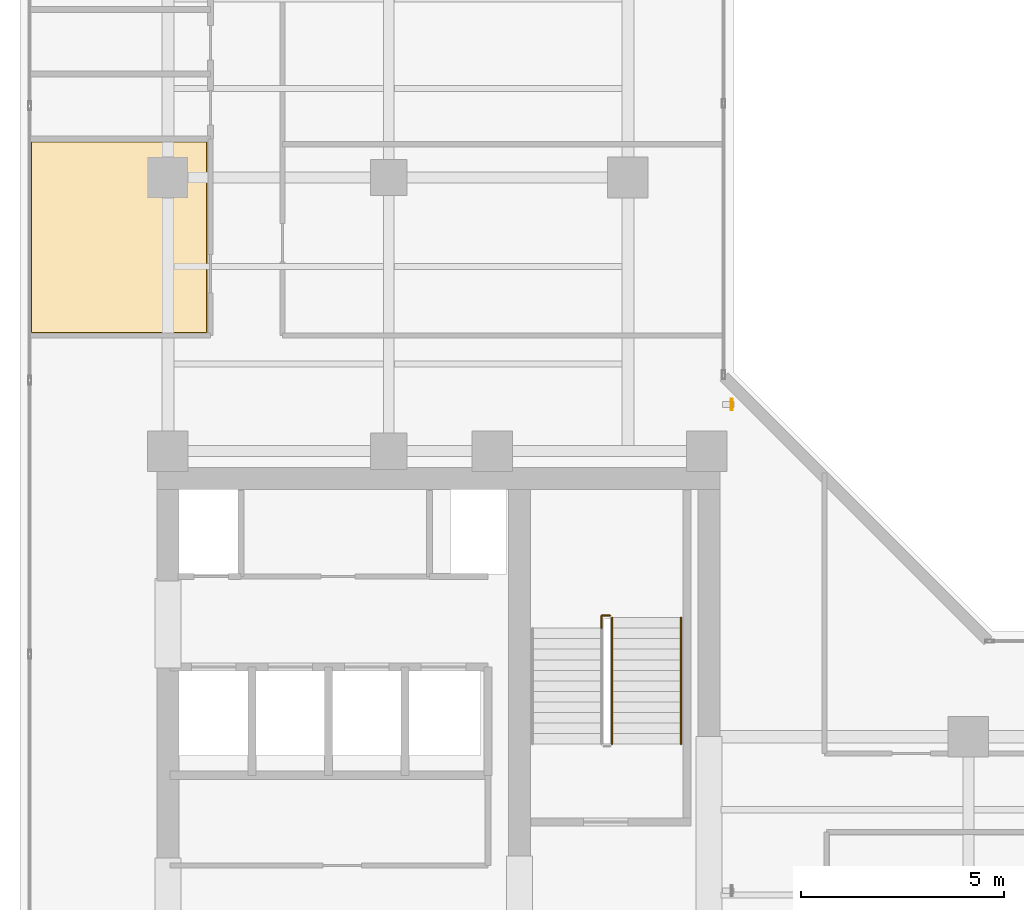
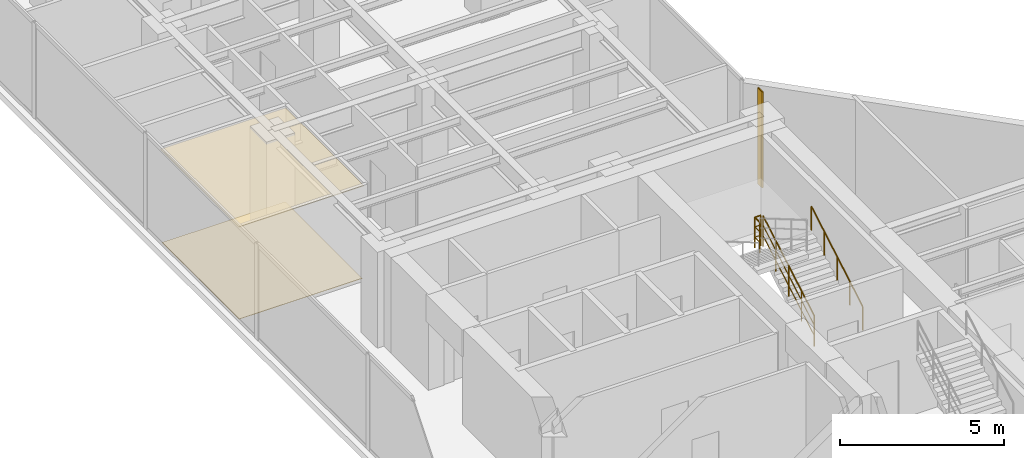
# One storey, part 22 of 23: 3 railings, 2 coverings, 1 shading device.
"""IFC4 building model written with IfcOpenShell, lengths in metres."""

from ifc_helpers import new_model, si_unit, direction, frame, origin, origin_2d, place, context, subcontext, project, spatial, polyline, hollow_rectangle, circle, outline, extrude, material, layer, layer_set, material_profile, profile_set, type_object, element, save


model = new_model("IFC4")

# Units and contexts
model_context = context("Model", 3, precision=1e-05, world=origin(), true_north=direction((0.0, 1.0)))
body_context = subcontext(model_context, "Body", "Model", "MODEL_VIEW")
ifc_project = project(units=[si_unit("LENGTHUNIT", "METRE"), si_unit("AREAUNIT", "SQUARE_METRE"), si_unit("VOLUMEUNIT", "CUBIC_METRE"), si_unit("PLANEANGLEUNIT", "RADIAN"), si_unit("MASSUNIT", "GRAM", prefix="KILO")], contexts=[model_context])

# Site, building, storey
site_placement = place(None, origin())
site = spatial("IfcSite", under=ifc_project, at=site_placement, CompositionType="ELEMENT")
building_placement = place(site_placement, origin())
building = spatial("IfcBuilding", under=site, at=building_placement, Name="Kolvaren Waterfront Exchange", CompositionType="ELEMENT")
storey_placement = place(building_placement, frame((0.0, 0.0, 250.10009765625)))
storey = spatial("IfcBuildingStorey", under=building, at=storey_placement, Name="L64", CompositionType="ELEMENT", Elevation=250.10009765625)

# Covering
ifc_material_1 = material(Name="Mineral fibre acoustic ceiling tile")
ifc_layer_1 = layer(ifc_material_1, 0.02490234375, Name="Mineral fibre acoustic ceiling tile")
ifc_layer_set_1 = layer_set([ifc_layer_1], Name="Mineral fibre acoustic ceiling tile")
covering_type_1 = type_object("IfcCoveringType", Name="ARC-CEIL-ACOUSTIC-25", PredefinedType="CEILING", material=ifc_layer_set_1)
covering_1_placement = place(storey_placement, frame((0.0, 0.0, 3.44482421875)))
element("IfcCovering", 1, at=covering_1_placement, inside=storey, type_object=covering_type_1, Name="L64 acoustic suspended ceiling 1", PredefinedType="CEILING", context=body_context, shape_type="SweptSolid", body=[
    extrude(outline(polyline([(8.43505859375, 27.344970703125), (8.43505859375, 32.10498046875), (4.044921875, 32.10498046875), (4.044921875, 27.344970703125), (8.43505859375, 27.344970703125)])), origin(), (0.0, 0.0, 1.0), 0.025146484375),
])

# Shading device
ifc_material_2 = material(Name="Anodised bronze aluminium 6063-T6", Category="aluminium")
ifc_material_profile = material_profile(ifc_material_2, hollow_rectangle(XDim=0.054931640625, YDim=0.280029296875, WallThickness=0.00439453125, at=origin_2d()), Name="BRZ-FIN-280x55x4.5")
ifc_profile_set = profile_set([ifc_material_profile], Name="Anodised bronze aluminium 6063-T6")
shading_device_type = type_object("IfcShadingDeviceType", Name="ARC-FIN-280", PredefinedType="USERDEFINED", material=ifc_profile_set)
shading_device_placement = place(storey_placement, frame((21.360107421875, 25.60009765625, 0.0), z_axis=(0.0, 0.0, 1.0), x_axis=(1.0, 0.0, 0.0)))
element("IfcShadingDevice", 2, at=shading_device_placement, inside=storey, type_object=shading_device_type, Name="L64 anodised bronze solar shading fin FIN-L64-E2", ObjectType="SOLAR FIN", PredefinedType="USERDEFINED", context=body_context, shape_type="SweptSolid", body=[
    extrude(hollow_rectangle(XDim=0.054931640625, YDim=0.280029296875, WallThickness=0.00439453125, at=origin_2d()), origin(), (0.0, 0.0, 1.0), 3.559814453125),
])

# Covering
ifc_material_3 = material(Name="Slip-resistant porcelain tile")
ifc_layer_2 = layer(ifc_material_3, 0.014892578125, Name="Slip-resistant porcelain tile")
ifc_layer_set_2 = layer_set([ifc_layer_2], Name="Slip-resistant porcelain tile")
covering_type_2 = type_object("IfcCoveringType", Name="ARC-FLR-PORC-15", PredefinedType="FLOORING", material=ifc_layer_set_2)
covering_2_placement = place(storey_placement, origin())
element("IfcCovering", 3, at=covering_2_placement, inside=storey, type_object=covering_type_2, Name="L64 floor finish 1", PredefinedType="FLOORING", context=body_context, shape_type="SweptSolid", body=[
    extrude(outline(polyline([(4.080078125, 32.070068359375), (4.080078125, 27.3798828125), (8.39990234375, 27.3798828125), (8.39990234375, 32.070068359375), (4.080078125, 32.070068359375)])), origin(), (0.0, 0.0, 1.0), 0.014892578125),
])

# Railings
ifc_material_4 = material(Name="Stainless steel 316", Category="steel")
railing_type_1 = type_object("IfcRailingType", Name="ARC-GUARD-STAIR", PredefinedType="GUARDRAIL", material=ifc_material_4)
railing_1_placement = place(storey_placement, frame((18.409912109375, 17.219970703125, 0.15185546875)))
element("IfcRailing", 4, at=railing_1_placement, inside=storey, type_object=railing_type_1, Name="L64 ST2 stair guard 1", PredefinedType="GUARDRAIL", context=body_context, shape_type="SweptSolid", body=[
    extrude(circle(Radius=0.02392578125, at=origin_2d()), frame((0.0, 0.0, 1.1259765625), z_axis=(0.0, 0.86330811405, 0.504677223793), x_axis=(-1.0, 0.0, 0.0)), (0.0, 0.0, 1.0), 3.6142578125),
    extrude(circle(Radius=0.01611328125, at=origin_2d()), frame((0.0, 0.0, 0.390869140625), z_axis=(0.0, 0.86330811405, 0.504677223793), x_axis=(-1.0, 0.0, 0.0)), (0.0, 0.0, 1.0), 3.6142578125),
    extrude(circle(Radius=0.01611328125, at=origin_2d()), frame((0.0, 0.0, 0.7705078125), z_axis=(0.0, 0.86330811405, 0.504677223793), x_axis=(-1.0, 0.0, 0.0)), (0.0, 0.0, 1.0), 3.6142578125),
    extrude(circle(Radius=0.02099609375, at=origin_2d()), origin(), (0.0, 0.0, 1.0), 1.101806640625),
    extrude(circle(Radius=0.02099609375, at=origin_2d()), frame((0.0, 0.780029296875, 0.4560546875)), (0.0, 0.0, 1.0), 1.101806640625),
    extrude(circle(Radius=0.02099609375, at=origin_2d()), frame((0.0, 1.56005859375, 0.912109375)), (0.0, 0.0, 1.0), 1.101806640625),
    extrude(circle(Radius=0.02099609375, at=origin_2d()), frame((0.0, 2.340087890625, 1.367919921875)), (0.0, 0.0, 1.0), 1.101806640625),
    extrude(circle(Radius=0.02099609375, at=origin_2d()), frame((0.0, 3.1201171875, 1.823974609375)), (0.0, 0.0, 1.0), 1.101806640625),
])
railing_2_placement = place(storey_placement, frame((18.360107421875, 20.389892578125, 1.975830078125)))
element("IfcRailing", 5, at=railing_2_placement, inside=storey, type_object=railing_type_1, Name="L64 ST2 stair guard 2", PredefinedType="GUARDRAIL", context=body_context, shape_type="SweptSolid", body=[
    extrude(circle(Radius=0.02392578125, at=origin_2d()), frame((0.0, 0.0, 1.1259765625), z_axis=(-1.0, 0.0, 0.0), x_axis=(0.0, -1.0, 0.0)), (0.0, 0.0, 1.0), 0.210205078125),
    extrude(circle(Radius=0.01611328125, at=origin_2d()), frame((0.0, 0.0, 0.390869140625), z_axis=(-1.0, 0.0, 0.0), x_axis=(0.0, -1.0, 0.0)), (0.0, 0.0, 1.0), 0.210205078125),
    extrude(circle(Radius=0.01611328125, at=origin_2d()), frame((0.0, 0.0, 0.7705078125), z_axis=(-1.0, 0.0, 0.0), x_axis=(0.0, -1.0, 0.0)), (0.0, 0.0, 1.0), 0.210205078125),
    extrude(circle(Radius=0.02392578125, at=origin_2d()), frame((-0.210205078125, 0.0, 1.1259765625), z_axis=(0.0, -1.0, 0.0), x_axis=(1.0, 0.0, 0.0)), (0.0, 0.0, 1.0), 0.309814453125),
    extrude(circle(Radius=0.01611328125, at=origin_2d()), frame((-0.210205078125, 0.0, 0.390869140625), z_axis=(0.0, -1.0, 0.0), x_axis=(1.0, 0.0, 0.0)), (0.0, 0.0, 1.0), 0.309814453125),
    extrude(circle(Radius=0.01611328125, at=origin_2d()), frame((-0.210205078125, 0.0, 0.7705078125), z_axis=(0.0, -1.0, 0.0), x_axis=(1.0, 0.0, 0.0)), (0.0, 0.0, 1.0), 0.309814453125),
    extrude(circle(Radius=0.02099609375, at=origin_2d()), origin(), (0.0, 0.0, 1.0), 1.101806640625),
    extrude(circle(Radius=0.02099609375, at=origin_2d()), frame((-0.210205078125, 0.0, 0.0)), (0.0, 0.0, 1.0), 1.101806640625),
    extrude(circle(Radius=0.02099609375, at=origin_2d()), frame((-0.210205078125, -0.309814453125, 0.0)), (0.0, 0.0, 1.0), 1.101806640625),
])
railing_type_2 = type_object("IfcRailingType", Name="ARC-HANDRAIL-900", PredefinedType="HANDRAIL", material=ifc_material_4)
railing_3_placement = place(storey_placement, frame((20.110107421875, 17.219970703125, 0.15185546875)))
element("IfcRailing", 6, at=railing_3_placement, inside=storey, type_object=railing_type_2, Name="L64 ST2 stair handrail 1", PredefinedType="HANDRAIL", context=body_context, shape_type="SweptSolid", body=[
    extrude(circle(Radius=0.02392578125, at=origin_2d()), frame((0.0, 0.0, 0.8759765625), z_axis=(0.0, 0.86330811405, 0.504677223793), x_axis=(-1.0, 0.0, 0.0)), (0.0, 0.0, 1.0), 3.6142578125),
    extrude(circle(Radius=0.02099609375, at=origin_2d()), origin(), (0.0, 0.0, 1.0), 0.851806640625),
    extrude(circle(Radius=0.02099609375, at=origin_2d()), frame((0.0, 0.780029296875, 0.4560546875)), (0.0, 0.0, 1.0), 0.851806640625),
    extrude(circle(Radius=0.02099609375, at=origin_2d()), frame((0.0, 1.56005859375, 0.912109375)), (0.0, 0.0, 1.0), 0.851806640625),
    extrude(circle(Radius=0.02099609375, at=origin_2d()), frame((0.0, 2.340087890625, 1.367919921875)), (0.0, 0.0, 1.0), 0.851806640625),
    extrude(circle(Radius=0.02099609375, at=origin_2d()), frame((0.0, 3.1201171875, 1.823974609375)), (0.0, 0.0, 1.0), 0.851806640625),
])

save(model, "model.ifc")
